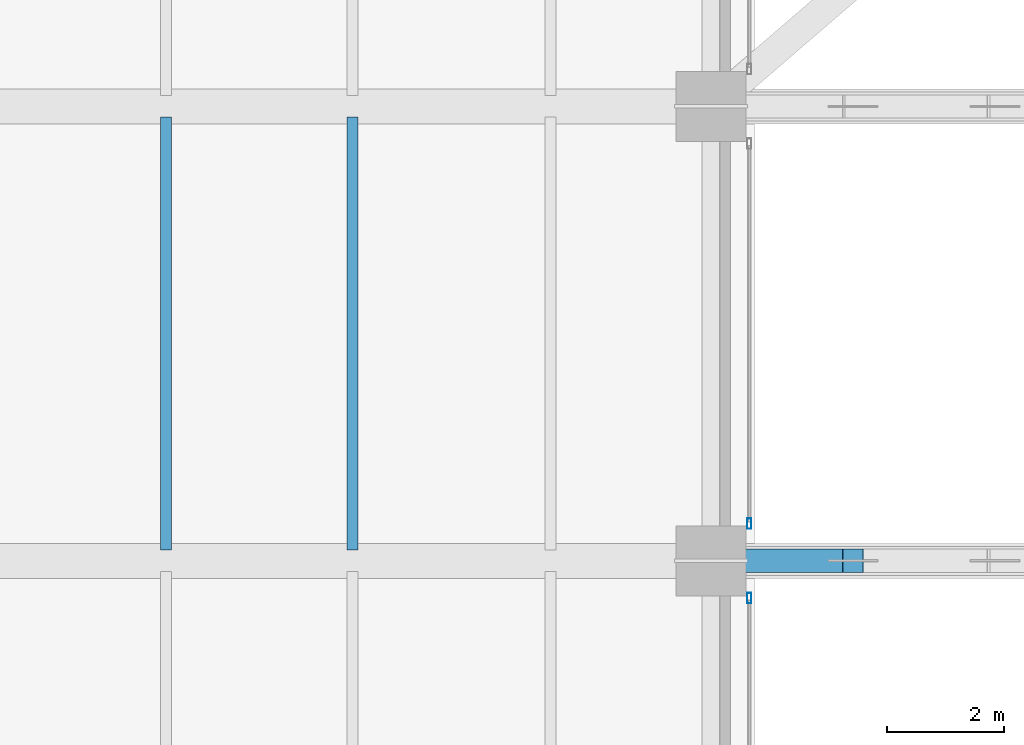
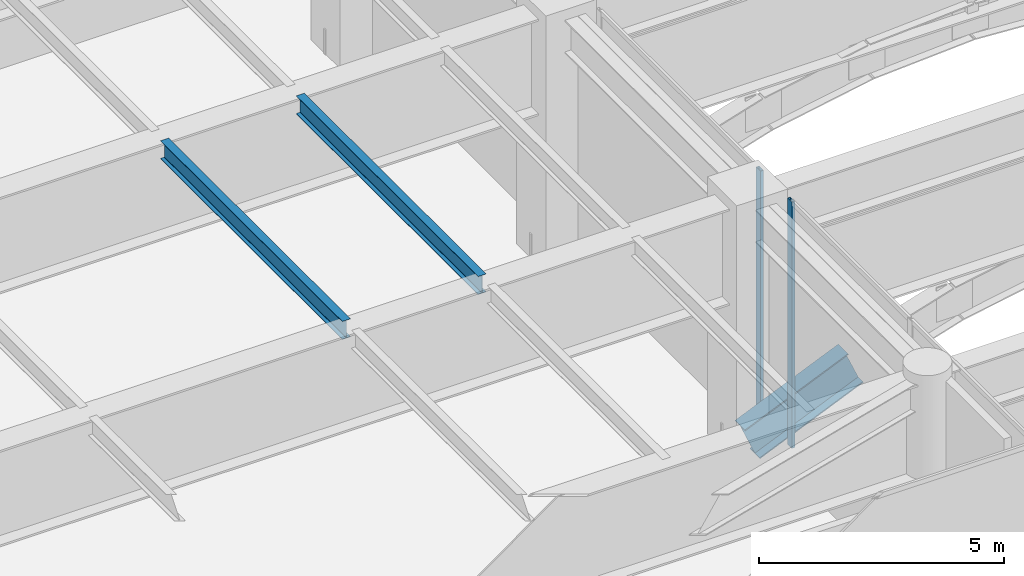
# One storey, part 9 of 50: 3 beams, 2 members, 2 elements without a shape of their own.
"""IFC4 building model written with IfcOpenShell, lengths in metres."""

from ifc_helpers import new_model, si_unit, direction, frame, origin, origin_2d, place, context, subcontext, project, spatial, hollow_rectangle, i_section, extrude, source, transform, mapped, material, layer, layer_set, material_profile, profile_set, type_object, type_shapes, element, aggregate, save


model = new_model("IFC4")

# Units and contexts
model_context = context("Model", 3, precision=1e-05, world=origin(), true_north=direction((0.0, 1.0)))
body_context = subcontext(model_context, "Body", "Model", "MODEL_VIEW")
ifc_project = project(units=[si_unit("LENGTHUNIT", "METRE"), si_unit("AREAUNIT", "SQUARE_METRE"), si_unit("VOLUMEUNIT", "CUBIC_METRE"), si_unit("PLANEANGLEUNIT", "RADIAN"), si_unit("MASSUNIT", "GRAM", prefix="KILO")], contexts=[model_context])

# Site, building, storey
site_placement = place(None, origin())
site = spatial("IfcSite", under=ifc_project, at=site_placement, CompositionType="ELEMENT")
building_placement = place(site_placement, origin())
building = spatial("IfcBuilding", under=site, at=building_placement, Name="Tolvann Quenvar Hotel", CompositionType="ELEMENT")
storey_placement = place(building_placement, frame((0.0, 0.0, 16.0)))
storey = spatial("IfcBuildingStorey", under=building, at=storey_placement, Name="L03", CompositionType="ELEMENT", Elevation=16.0)

# Beams
ifc_material_1 = material(Name="Steel Grade 350", Category="steel")
ifc_material_profile_1 = material_profile(ifc_material_1, i_section(OverallWidth=0.18994140625, OverallDepth=0.4541015625, WebThickness=0.008544921875, FlangeThickness=0.0126953125, FilletRadius=0.011474609375, at=origin_2d()), Name="460UB67")
ifc_profile_set_1 = profile_set([ifc_material_profile_1], Name="Steel Grade 350")
beam_type_1 = type_object("IfcBeamType", Name="BM_JOIST_460UB67", PredefinedType="JOIST", material=ifc_profile_set_1)
shared_shape_1 = source(origin(), body_context, "Body", "SweptSolid", [
    extrude(i_section(OverallWidth=0.18994140625, OverallDepth=0.4541015625, WebThickness=0.008544921875, FlangeThickness=0.0126953125, FilletRadius=0.011474609375, at=origin_2d()), origin(), (0.0, 0.0, 1.0), 7.429931640625),
])
type_shapes(beam_type_1, [shared_shape_1])
for number, where, z_axis, x_axis, name in (
    (1, (9.39990234375, 8.385009765625, 5.9130859375), (0.0, 1.0, 0.0), (-1.0, 0.0, 0.0), "BJ-L03-94-82"),
    (2, (12.60009765625, 8.385009765625, 5.9130859375), (0.0, 1.0, 0.0), (-1.0, 0.0, 0.0), "BJ-L03-126-82"),
):
    element("IfcBeam", number, at=place(storey_placement, frame(where, z_axis=z_axis, x_axis=x_axis)), inside=storey, type_object=beam_type_1, Name=name, PredefinedType="JOIST", context=body_context, shape_type="MappedRepresentation", body=[
        mapped(shared_shape_1, transform((0.0, 0.0, 0.0), x_axis=(1.0, 0.0, 0.0), y_axis=(0.0, 1.0, 0.0), z_axis=(0.0, 0.0, 1.0), scale=1.0)),
    ])
ifc_material_profile_2 = material_profile(ifc_material_1, i_section(OverallWidth=0.39990234375, OverallDepth=0.916015625, WebThickness=0.011962890625, FlangeThickness=0.028076171875, at=origin_2d()), Name="900WB257")
ifc_profile_set_2 = profile_set([ifc_material_profile_2], Name="Steel Grade 350")
beam_type_2 = type_object("IfcBeamType", Name="BM_ARCH_900WB257", PredefinedType="USERDEFINED", material=ifc_profile_set_2)
shared_shape_2 = source(origin(), body_context, "Body", "SweptSolid", [
    extrude(i_section(OverallWidth=0.39990234375, OverallDepth=0.916015625, WebThickness=0.011962890625, FlangeThickness=0.028076171875, at=origin_2d()), origin(), (0.0, 0.0, 1.0), 2.654052734375),
])
type_shapes(beam_type_2, [shared_shape_2])
beam_placement = place(storey_placement, frame((18.75, 8.199951171875, 0.0), z_axis=(0.918405931002, 0.0, 0.395639413987), x_axis=(0.0, 1.0, 0.0)))
element("IfcBeam", 3, at=beam_placement, inside=storey, type_object=beam_type_2, Name="Podium Parabolic Arch Rib F2-S1", ObjectType="ARCH RIB", PredefinedType="USERDEFINED", context=body_context, shape_type="MappedRepresentation", body=[
    mapped(shared_shape_2, transform((0.0, 0.0, 0.0), x_axis=(1.0, 0.0, 0.0), y_axis=(0.0, 1.0, 0.0), z_axis=(0.0, 0.0, 1.0), scale=1.0)),
])

# Curtain wall, member
ifc_material_2 = material(Name="Thermally broken anodised architectural aluminium 6063-T6 and laminated low-E glass", Category="aluminium")
ifc_layer = layer(ifc_material_2, 0.179931640625)
ifc_layer_set = layer_set([ifc_layer], Name="Thermally broken anodised architectural aluminium 6063-T6 and laminated low-E glass")
curtain_wall_type = type_object("IfcCurtainWallType", Name="CW_SYS_ARCH_01", PredefinedType="USERDEFINED", material=ifc_layer_set)
curtain_wall_1_placement = place(storey_placement, origin())
curtain_wall_1 = element("IfcCurtainWall", 4, at=curtain_wall_1_placement, inside=storey, type_object=curtain_wall_type, Name="Curtain Wall CW-ARCH-01 (CWR-L03-E01-S1)", ObjectType="UNITISED CURTAIN WALL", PredefinedType="USERDEFINED")
ifc_material_3 = material(Name="Anodised architectural aluminium 6063-T6 framing", Category="aluminium")
ifc_material_profile_3 = material_profile(ifc_material_3, hollow_rectangle(XDim=0.070068359375, YDim=0.179931640625, WallThickness=0.00390625, at=origin_2d()), Name="180x70x4RHS")
ifc_profile_set_3 = profile_set([ifc_material_profile_3], Name="Anodised architectural aluminium 6063-T6 framing")
member_type = type_object("IfcMemberType", Name="CW_MULL_180x70", PredefinedType="MULLION", material=ifc_profile_set_3)
shared_shape_3 = source(origin(), body_context, "Body", "SweptSolid", [
    extrude(hollow_rectangle(XDim=0.070068359375, YDim=0.179931640625, WallThickness=0.00390625, at=origin_2d()), origin(), (0.0, 0.0, 1.0), 6.139892578125),
])
type_shapes(member_type, [shared_shape_3])
member_1_placement = place(storey_placement, frame((19.409912109375, 7.56103515625, 0.0), z_axis=(0.0, 0.0, 1.0), x_axis=(-1.0, 0.0, 0.0)))
member_1 = element("IfcMember", 5, at=member_1_placement, type_object=member_type, Name="CW-ARCH-01 mullion 3", PredefinedType="MULLION", context=body_context, shape_type="MappedRepresentation", body=[
    mapped(shared_shape_3, transform((0.0, 0.0, 0.0), x_axis=(1.0, 0.0, 0.0), y_axis=(0.0, 1.0, 0.0), z_axis=(0.0, 0.0, 1.0), scale=1.0)),
])
aggregate(curtain_wall_1, [member_1])

curtain_wall_2_placement = place(storey_placement, origin())
curtain_wall_2 = element("IfcCurtainWall", 6, at=curtain_wall_2_placement, inside=storey, type_object=curtain_wall_type, Name="Curtain Wall CW-ARCH-01 (CWR-L03-E01-S2)", ObjectType="UNITISED CURTAIN WALL", PredefinedType="USERDEFINED")
member_2_placement = place(storey_placement, frame((19.409912109375, 8.839111328125, 0.0), z_axis=(0.0, 0.0, 1.0), x_axis=(-1.0, 0.0, 0.0)))
member_2 = element("IfcMember", 7, at=member_2_placement, type_object=member_type, Name="CW-ARCH-01 mullion 1", PredefinedType="MULLION", context=body_context, shape_type="MappedRepresentation", body=[
    mapped(shared_shape_3, transform((0.0, 0.0, 0.0), x_axis=(1.0, 0.0, 0.0), y_axis=(0.0, 1.0, 0.0), z_axis=(0.0, 0.0, 1.0), scale=1.0)),
])
aggregate(curtain_wall_2, [member_2])

save(model, "model.ifc")
